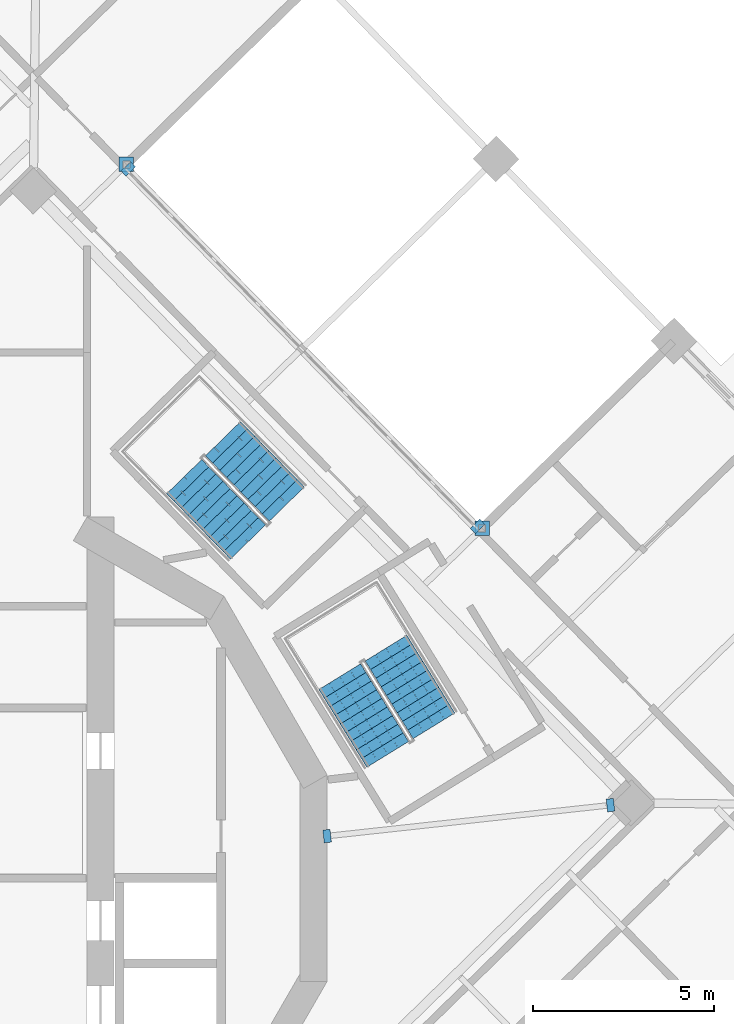
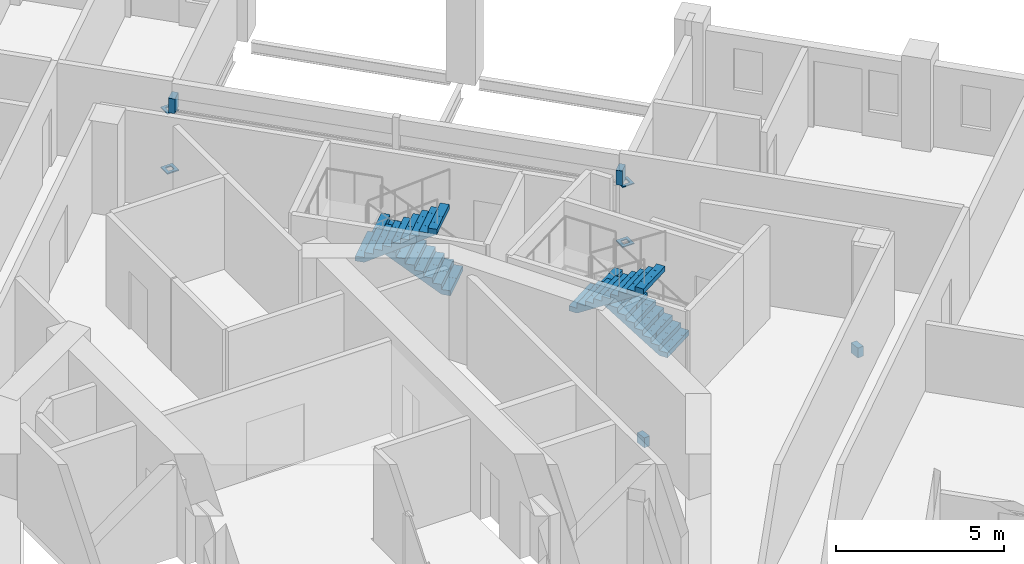
# One storey, part 14 of 20: 8 discrete accessories, 4 stair flights, 2 elements without a shape of their own.
"""IFC4 building model written with IfcOpenShell, lengths in metres."""

from ifc_helpers import new_model, si_unit, direction, frame, origin, place, context, subcontext, project, spatial, polyline, outline, extrude, material, layer, layer_set, type_object, element, aggregate, save


model = new_model("IFC4")

# Units and contexts
model_context = context("Model", 3, precision=1e-05, world=origin(), true_north=direction((0.0, 1.0)))
body_context = subcontext(model_context, "Body", "Model", "MODEL_VIEW")
ifc_project = project(units=[si_unit("LENGTHUNIT", "METRE"), si_unit("AREAUNIT", "SQUARE_METRE"), si_unit("VOLUMEUNIT", "CUBIC_METRE"), si_unit("PLANEANGLEUNIT", "RADIAN"), si_unit("MASSUNIT", "GRAM", prefix="KILO")], contexts=[model_context])

# Site, building, storey
site_placement = place(None, origin())
site = spatial("IfcSite", under=ifc_project, at=site_placement, CompositionType="ELEMENT")
building_placement = place(site_placement, origin())
building = spatial("IfcBuilding", under=site, at=building_placement, Name="Cantera Rosa Tower", CompositionType="ELEMENT")
storey_placement = place(building_placement, frame((0.0, 0.0, 209.0)))
storey = spatial("IfcBuildingStorey", under=building, at=storey_placement, Name="L44", CompositionType="ELEMENT", Elevation=209.0)

# Stair, stair flights
ifc_material_1 = material(Name="Concrete C35/45", Category="concrete")
stair_type = type_object("IfcStairType", Name="EXIT STAIR 1350 DOGLEG", PredefinedType="HALF_TURN_STAIR", material=ifc_material_1)
stair_1_placement = place(storey_placement, origin())
stair_1 = element("IfcStair", 1, at=stair_1_placement, inside=storey, type_object=stair_type, Name="L44 ST-41", PredefinedType="HALF_TURN_STAIR")
ifc_material_2 = material(Name="Concrete C35/45", Category="concrete")
stair_flight_type = type_object("IfcStairFlightType", Name="STAIR FLIGHT 1350 R20x180", PredefinedType="STRAIGHT", material=ifc_material_2)
stair_flight_1_placement = place(storey_placement, frame((13.5732421875, 4.2021484375, 0.0), z_axis=(0.0, 0.0, 1.0), x_axis=(-0.524976585286, 0.851116669383, 0.0)))
stair_flight_1 = element("IfcStairFlight", 2, at=stair_flight_1_placement, type_object=stair_flight_type, Name="ST-41 flight 1", NumberOfRisers=10, NumberOfTreads=9, PredefinedType="STRAIGHT", RiserHeight=0.18, TreadLength=0.28, context=body_context, shape_type="SweptSolid", body=[
    extrude(outline(polyline([(0.0, 0.0), (0.0, 0.179931640625), (0.280029296875, 0.179931640625), (0.280029296875, 0.360107421875), (0.56005859375, 0.360107421875), (0.56005859375, 0.5400390625), (0.840087890625, 0.5400390625), (0.840087890625, 0.719970703125), (1.1201171875, 0.719970703125), (1.1201171875, 0.89990234375), (1.39990234375, 0.89990234375), (1.39990234375, 1.080078125), (1.679931640625, 1.080078125), (1.679931640625, 1.260009765625), (1.9599609375, 1.260009765625), (1.9599609375, 1.43994140625), (2.239990234375, 1.43994140625), (2.239990234375, 1.6201171875), (2.52001953125, 1.6201171875), (2.52001953125, 1.800048828125), (2.52001953125, 1.44189453125), (0.277099609375, 0.0), (0.0, 0.0)])), frame((0.0, 0.675048828125, 0.0), z_axis=(0.0, -1.0, 0.0), x_axis=(1.0, 0.0, 0.0)), (0.0, 0.0, 1.0), 0.3359375),
    extrude(outline(polyline([(0.0, 0.0), (0.0, 0.179931640625), (0.280029296875, 0.179931640625), (0.280029296875, 0.360107421875), (0.56005859375, 0.360107421875), (0.56005859375, 0.5400390625), (0.840087890625, 0.5400390625), (0.840087890625, 0.719970703125), (1.1201171875, 0.719970703125), (1.1201171875, 0.89990234375), (1.39990234375, 0.89990234375), (1.39990234375, 1.080078125), (1.679931640625, 1.080078125), (1.679931640625, 1.260009765625), (1.9599609375, 1.260009765625), (1.9599609375, 1.43994140625), (2.239990234375, 1.43994140625), (2.239990234375, 1.6201171875), (2.52001953125, 1.6201171875), (2.52001953125, 1.800048828125), (2.52001953125, 1.44189453125), (0.277099609375, 0.0), (0.0, 0.0)])), frame((0.0, 0.337158203125, 0.0), z_axis=(0.0, -1.0, 0.0), x_axis=(1.0, 0.0, 0.0)), (0.0, 0.0, 1.0), 0.3359375),
    extrude(outline(polyline([(0.0, 0.0), (0.0, 0.179931640625), (0.280029296875, 0.179931640625), (0.280029296875, 0.360107421875), (0.56005859375, 0.360107421875), (0.56005859375, 0.5400390625), (0.840087890625, 0.5400390625), (0.840087890625, 0.719970703125), (1.1201171875, 0.719970703125), (1.1201171875, 0.89990234375), (1.39990234375, 0.89990234375), (1.39990234375, 1.080078125), (1.679931640625, 1.080078125), (1.679931640625, 1.260009765625), (1.9599609375, 1.260009765625), (1.9599609375, 1.43994140625), (2.239990234375, 1.43994140625), (2.239990234375, 1.6201171875), (2.52001953125, 1.6201171875), (2.52001953125, 1.800048828125), (2.52001953125, 1.44189453125), (0.277099609375, 0.0), (0.0, 0.0)])), frame((0.0, -0.000732421875, 0.0), z_axis=(0.0, -1.0, 0.0), x_axis=(1.0, 0.0, 0.0)), (0.0, 0.0, 1.0), 0.3359375),
    extrude(outline(polyline([(0.0, 0.0), (0.0, 0.179931640625), (0.280029296875, 0.179931640625), (0.280029296875, 0.360107421875), (0.56005859375, 0.360107421875), (0.56005859375, 0.5400390625), (0.840087890625, 0.5400390625), (0.840087890625, 0.719970703125), (1.1201171875, 0.719970703125), (1.1201171875, 0.89990234375), (1.39990234375, 0.89990234375), (1.39990234375, 1.080078125), (1.679931640625, 1.080078125), (1.679931640625, 1.260009765625), (1.9599609375, 1.260009765625), (1.9599609375, 1.43994140625), (2.239990234375, 1.43994140625), (2.239990234375, 1.6201171875), (2.52001953125, 1.6201171875), (2.52001953125, 1.800048828125), (2.52001953125, 1.44189453125), (0.277099609375, 0.0), (0.0, 0.0)])), frame((0.0, -0.338623046875, 0.0), z_axis=(0.0, -1.0, 0.0), x_axis=(1.0, 0.0, 0.0)), (0.0, 0.0, 1.0), 0.3359375),
])
stair_flight_2_placement = place(storey_placement, frame((10.9736328125, 5.5595703125, 1.800048828125), z_axis=(0.0, 0.0, 1.0), x_axis=(0.524976585286, -0.851116669383, 0.0)))
stair_flight_2 = element("IfcStairFlight", 3, at=stair_flight_2_placement, type_object=stair_flight_type, Name="ST-41 flight 2", NumberOfRisers=10, NumberOfTreads=9, PredefinedType="STRAIGHT", RiserHeight=0.18, TreadLength=0.28, context=body_context, shape_type="SweptSolid", body=[
    extrude(outline(polyline([(0.0, 0.0), (0.0, 0.179931640625), (0.280029296875, 0.179931640625), (0.280029296875, 0.360107421875), (0.56005859375, 0.360107421875), (0.56005859375, 0.5400390625), (0.840087890625, 0.5400390625), (0.840087890625, 0.719970703125), (1.1201171875, 0.719970703125), (1.1201171875, 0.89990234375), (1.39990234375, 0.89990234375), (1.39990234375, 1.080078125), (1.679931640625, 1.080078125), (1.679931640625, 1.260009765625), (1.9599609375, 1.260009765625), (1.9599609375, 1.43994140625), (2.239990234375, 1.43994140625), (2.239990234375, 1.6201171875), (2.52001953125, 1.6201171875), (2.52001953125, 1.800048828125), (2.52001953125, 1.44189453125), (0.277099609375, 0.0), (0.0, 0.0)])), frame((0.0, 0.675048828125, 0.0), z_axis=(0.0, -1.0, 0.0), x_axis=(1.0, 0.0, 0.0)), (0.0, 0.0, 1.0), 0.3359375),
    extrude(outline(polyline([(0.0, 0.0), (0.0, 0.179931640625), (0.280029296875, 0.179931640625), (0.280029296875, 0.360107421875), (0.56005859375, 0.360107421875), (0.56005859375, 0.5400390625), (0.840087890625, 0.5400390625), (0.840087890625, 0.719970703125), (1.1201171875, 0.719970703125), (1.1201171875, 0.89990234375), (1.39990234375, 0.89990234375), (1.39990234375, 1.080078125), (1.679931640625, 1.080078125), (1.679931640625, 1.260009765625), (1.9599609375, 1.260009765625), (1.9599609375, 1.43994140625), (2.239990234375, 1.43994140625), (2.239990234375, 1.6201171875), (2.52001953125, 1.6201171875), (2.52001953125, 1.800048828125), (2.52001953125, 1.44189453125), (0.277099609375, 0.0), (0.0, 0.0)])), frame((0.0, 0.337158203125, 0.0), z_axis=(0.0, -1.0, 0.0), x_axis=(1.0, 0.0, 0.0)), (0.0, 0.0, 1.0), 0.3359375),
    extrude(outline(polyline([(0.0, 0.0), (0.0, 0.179931640625), (0.280029296875, 0.179931640625), (0.280029296875, 0.360107421875), (0.56005859375, 0.360107421875), (0.56005859375, 0.5400390625), (0.840087890625, 0.5400390625), (0.840087890625, 0.719970703125), (1.1201171875, 0.719970703125), (1.1201171875, 0.89990234375), (1.39990234375, 0.89990234375), (1.39990234375, 1.080078125), (1.679931640625, 1.080078125), (1.679931640625, 1.260009765625), (1.9599609375, 1.260009765625), (1.9599609375, 1.43994140625), (2.239990234375, 1.43994140625), (2.239990234375, 1.6201171875), (2.52001953125, 1.6201171875), (2.52001953125, 1.800048828125), (2.52001953125, 1.44189453125), (0.277099609375, 0.0), (0.0, 0.0)])), frame((0.0, -0.000732421875, 0.0), z_axis=(0.0, -1.0, 0.0), x_axis=(1.0, 0.0, 0.0)), (0.0, 0.0, 1.0), 0.3359375),
    extrude(outline(polyline([(0.0, 0.0), (0.0, 0.179931640625), (0.280029296875, 0.179931640625), (0.280029296875, 0.360107421875), (0.56005859375, 0.360107421875), (0.56005859375, 0.5400390625), (0.840087890625, 0.5400390625), (0.840087890625, 0.719970703125), (1.1201171875, 0.719970703125), (1.1201171875, 0.89990234375), (1.39990234375, 0.89990234375), (1.39990234375, 1.080078125), (1.679931640625, 1.080078125), (1.679931640625, 1.260009765625), (1.9599609375, 1.260009765625), (1.9599609375, 1.43994140625), (2.239990234375, 1.43994140625), (2.239990234375, 1.6201171875), (2.52001953125, 1.6201171875), (2.52001953125, 1.800048828125), (2.52001953125, 1.44189453125), (0.277099609375, 0.0), (0.0, 0.0)])), frame((0.0, -0.338623046875, 0.0), z_axis=(0.0, -1.0, 0.0), x_axis=(1.0, 0.0, 0.0)), (0.0, 0.0, 1.0), 0.3359375),
])
aggregate(stair_1, [stair_flight_1, stair_flight_2])

stair_2_placement = place(storey_placement, origin())
stair_2 = element("IfcStair", 4, at=stair_2_placement, inside=storey, type_object=stair_type, Name="L44 ST-42", PredefinedType="HALF_TURN_STAIR")
stair_flight_3_placement = place(storey_placement, frame((9.514892578125, 10.32275390625, 0.0), z_axis=(0.0, 0.0, 1.0), x_axis=(-0.698831536207, 0.715286295132, 0.0)))
stair_flight_3 = element("IfcStairFlight", 5, at=stair_flight_3_placement, type_object=stair_flight_type, Name="ST-42 flight 1", NumberOfRisers=10, NumberOfTreads=9, PredefinedType="STRAIGHT", RiserHeight=0.18, TreadLength=0.28, context=body_context, shape_type="SweptSolid", body=[
    extrude(outline(polyline([(0.0, 0.0), (0.0, 0.179931640625), (0.280029296875, 0.179931640625), (0.280029296875, 0.360107421875), (0.56005859375, 0.360107421875), (0.56005859375, 0.5400390625), (0.840087890625, 0.5400390625), (0.840087890625, 0.719970703125), (1.1201171875, 0.719970703125), (1.1201171875, 0.89990234375), (1.39990234375, 0.89990234375), (1.39990234375, 1.080078125), (1.679931640625, 1.080078125), (1.679931640625, 1.260009765625), (1.9599609375, 1.260009765625), (1.9599609375, 1.43994140625), (2.239990234375, 1.43994140625), (2.239990234375, 1.6201171875), (2.52001953125, 1.6201171875), (2.52001953125, 1.800048828125), (2.52001953125, 1.44189453125), (0.277099609375, 0.0), (0.0, 0.0)])), frame((0.0, 0.675048828125, 0.0), z_axis=(0.0, -1.0, 0.0), x_axis=(1.0, 0.0, 0.0)), (0.0, 0.0, 1.0), 0.3359375),
    extrude(outline(polyline([(0.0, 0.0), (0.0, 0.179931640625), (0.280029296875, 0.179931640625), (0.280029296875, 0.360107421875), (0.56005859375, 0.360107421875), (0.56005859375, 0.5400390625), (0.840087890625, 0.5400390625), (0.840087890625, 0.719970703125), (1.1201171875, 0.719970703125), (1.1201171875, 0.89990234375), (1.39990234375, 0.89990234375), (1.39990234375, 1.080078125), (1.679931640625, 1.080078125), (1.679931640625, 1.260009765625), (1.9599609375, 1.260009765625), (1.9599609375, 1.43994140625), (2.239990234375, 1.43994140625), (2.239990234375, 1.6201171875), (2.52001953125, 1.6201171875), (2.52001953125, 1.800048828125), (2.52001953125, 1.44189453125), (0.277099609375, 0.0), (0.0, 0.0)])), frame((0.0, 0.337158203125, 0.0), z_axis=(0.0, -1.0, 0.0), x_axis=(1.0, 0.0, 0.0)), (0.0, 0.0, 1.0), 0.3359375),
    extrude(outline(polyline([(0.0, 0.0), (0.0, 0.179931640625), (0.280029296875, 0.179931640625), (0.280029296875, 0.360107421875), (0.56005859375, 0.360107421875), (0.56005859375, 0.5400390625), (0.840087890625, 0.5400390625), (0.840087890625, 0.719970703125), (1.1201171875, 0.719970703125), (1.1201171875, 0.89990234375), (1.39990234375, 0.89990234375), (1.39990234375, 1.080078125), (1.679931640625, 1.080078125), (1.679931640625, 1.260009765625), (1.9599609375, 1.260009765625), (1.9599609375, 1.43994140625), (2.239990234375, 1.43994140625), (2.239990234375, 1.6201171875), (2.52001953125, 1.6201171875), (2.52001953125, 1.800048828125), (2.52001953125, 1.44189453125), (0.277099609375, 0.0), (0.0, 0.0)])), frame((0.0, -0.000732421875, 0.0), z_axis=(0.0, -1.0, 0.0), x_axis=(1.0, 0.0, 0.0)), (0.0, 0.0, 1.0), 0.3359375),
    extrude(outline(polyline([(0.0, 0.0), (0.0, 0.179931640625), (0.280029296875, 0.179931640625), (0.280029296875, 0.360107421875), (0.56005859375, 0.360107421875), (0.56005859375, 0.5400390625), (0.840087890625, 0.5400390625), (0.840087890625, 0.719970703125), (1.1201171875, 0.719970703125), (1.1201171875, 0.89990234375), (1.39990234375, 0.89990234375), (1.39990234375, 1.080078125), (1.679931640625, 1.080078125), (1.679931640625, 1.260009765625), (1.9599609375, 1.260009765625), (1.9599609375, 1.43994140625), (2.239990234375, 1.43994140625), (2.239990234375, 1.6201171875), (2.52001953125, 1.6201171875), (2.52001953125, 1.800048828125), (2.52001953125, 1.44189453125), (0.277099609375, 0.0), (0.0, 0.0)])), frame((0.0, -0.338623046875, 0.0), z_axis=(0.0, -1.0, 0.0), x_axis=(1.0, 0.0, 0.0)), (0.0, 0.0, 1.0), 0.3359375),
])
stair_flight_4_placement = place(storey_placement, frame((6.680908203125, 11.076904296875, 1.800048828125), z_axis=(0.0, 0.0, 1.0), x_axis=(0.698831536207, -0.715286295132, 0.0)))
stair_flight_4 = element("IfcStairFlight", 6, at=stair_flight_4_placement, type_object=stair_flight_type, Name="ST-42 flight 2", NumberOfRisers=10, NumberOfTreads=9, PredefinedType="STRAIGHT", RiserHeight=0.18, TreadLength=0.28, context=body_context, shape_type="SweptSolid", body=[
    extrude(outline(polyline([(0.0, 0.0), (0.0, 0.179931640625), (0.280029296875, 0.179931640625), (0.280029296875, 0.360107421875), (0.56005859375, 0.360107421875), (0.56005859375, 0.5400390625), (0.840087890625, 0.5400390625), (0.840087890625, 0.719970703125), (1.1201171875, 0.719970703125), (1.1201171875, 0.89990234375), (1.39990234375, 0.89990234375), (1.39990234375, 1.080078125), (1.679931640625, 1.080078125), (1.679931640625, 1.260009765625), (1.9599609375, 1.260009765625), (1.9599609375, 1.43994140625), (2.239990234375, 1.43994140625), (2.239990234375, 1.6201171875), (2.52001953125, 1.6201171875), (2.52001953125, 1.800048828125), (2.52001953125, 1.44189453125), (0.277099609375, 0.0), (0.0, 0.0)])), frame((0.0, 0.675048828125, 0.0), z_axis=(0.0, -1.0, 0.0), x_axis=(1.0, 0.0, 0.0)), (0.0, 0.0, 1.0), 0.3359375),
    extrude(outline(polyline([(0.0, 0.0), (0.0, 0.179931640625), (0.280029296875, 0.179931640625), (0.280029296875, 0.360107421875), (0.56005859375, 0.360107421875), (0.56005859375, 0.5400390625), (0.840087890625, 0.5400390625), (0.840087890625, 0.719970703125), (1.1201171875, 0.719970703125), (1.1201171875, 0.89990234375), (1.39990234375, 0.89990234375), (1.39990234375, 1.080078125), (1.679931640625, 1.080078125), (1.679931640625, 1.260009765625), (1.9599609375, 1.260009765625), (1.9599609375, 1.43994140625), (2.239990234375, 1.43994140625), (2.239990234375, 1.6201171875), (2.52001953125, 1.6201171875), (2.52001953125, 1.800048828125), (2.52001953125, 1.44189453125), (0.277099609375, 0.0), (0.0, 0.0)])), frame((0.0, 0.337158203125, 0.0), z_axis=(0.0, -1.0, 0.0), x_axis=(1.0, 0.0, 0.0)), (0.0, 0.0, 1.0), 0.3359375),
    extrude(outline(polyline([(0.0, 0.0), (0.0, 0.179931640625), (0.280029296875, 0.179931640625), (0.280029296875, 0.360107421875), (0.56005859375, 0.360107421875), (0.56005859375, 0.5400390625), (0.840087890625, 0.5400390625), (0.840087890625, 0.719970703125), (1.1201171875, 0.719970703125), (1.1201171875, 0.89990234375), (1.39990234375, 0.89990234375), (1.39990234375, 1.080078125), (1.679931640625, 1.080078125), (1.679931640625, 1.260009765625), (1.9599609375, 1.260009765625), (1.9599609375, 1.43994140625), (2.239990234375, 1.43994140625), (2.239990234375, 1.6201171875), (2.52001953125, 1.6201171875), (2.52001953125, 1.800048828125), (2.52001953125, 1.44189453125), (0.277099609375, 0.0), (0.0, 0.0)])), frame((0.0, -0.000732421875, 0.0), z_axis=(0.0, -1.0, 0.0), x_axis=(1.0, 0.0, 0.0)), (0.0, 0.0, 1.0), 0.3359375),
    extrude(outline(polyline([(0.0, 0.0), (0.0, 0.179931640625), (0.280029296875, 0.179931640625), (0.280029296875, 0.360107421875), (0.56005859375, 0.360107421875), (0.56005859375, 0.5400390625), (0.840087890625, 0.5400390625), (0.840087890625, 0.719970703125), (1.1201171875, 0.719970703125), (1.1201171875, 0.89990234375), (1.39990234375, 0.89990234375), (1.39990234375, 1.080078125), (1.679931640625, 1.080078125), (1.679931640625, 1.260009765625), (1.9599609375, 1.260009765625), (1.9599609375, 1.43994140625), (2.239990234375, 1.43994140625), (2.239990234375, 1.6201171875), (2.52001953125, 1.6201171875), (2.52001953125, 1.800048828125), (2.52001953125, 1.44189453125), (0.277099609375, 0.0), (0.0, 0.0)])), frame((0.0, -0.338623046875, 0.0), z_axis=(0.0, -1.0, 0.0), x_axis=(1.0, 0.0, 0.0)), (0.0, 0.0, 1.0), 0.3359375),
])
aggregate(stair_2, [stair_flight_3, stair_flight_4])

# Discrete accessories
ifc_material_3 = material(Name="Steel ASTM A992 (Fy 345 MPa)", Category="steel")
ifc_layer = layer(ifc_material_3, 0.0400390625)
ifc_layer_set = layer_set([ifc_layer], Name="STEEL BEARING PLATE 40")
discrete_accessory_type = type_object("IfcDiscreteAccessoryType", Name="STEEL BEARING PLATE 40", PredefinedType="ANCHORPLATE", material=ifc_layer_set)
discrete_accessory_1_placement = place(storey_placement, frame((0.0, 0.0, -0.659912109375)))
element("IfcDiscreteAccessory", 7, at=discrete_accessory_1_placement, inside=storey, type_object=discrete_accessory_type, Name="BEARING PLATE PG-Z4-01 end 1 L44", PredefinedType="ANCHORPLATE", context=body_context, shape_type="SweptSolid", body=[
    extrude(outline(polyline([(18.362548828125, 1.828125), (18.5615234375, 1.849853515625), (18.52294921875, 2.20166015625), (18.32421875, 2.179931640625), (18.362548828125, 1.828125)])), origin(), (0.0, 0.0, 1.0), 0.35986328125),
])
discrete_accessory_2_placement = place(storey_placement, frame((0.0, 0.0, -0.659912109375)))
element("IfcDiscreteAccessory", 8, at=discrete_accessory_2_placement, inside=storey, type_object=discrete_accessory_type, Name="BEARING PLATE PG-Z4-01 end 2 L44", PredefinedType="ANCHORPLATE", context=body_context, shape_type="SweptSolid", body=[
    extrude(outline(polyline([(10.705322265625, 1.34765625), (10.506591796875, 1.325927734375), (10.544921875, 0.97412109375), (10.743896484375, 0.99560546875), (10.705322265625, 1.34765625)])), origin(), (0.0, 0.0, 1.0), 0.35986328125),
])
for number, where, name in (
    (9, (0.0, 0.0, 0.0), "POST PLATE L44-1F"),
    (10, (0.0, 0.0, 2.174072265625), "POST PLATE L44-1T"),
):
    element("IfcDiscreteAccessory", number, at=place(storey_placement, frame(where)), inside=storey, type_object=discrete_accessory_type, Name=name, PredefinedType="ANCHORPLATE", context=body_context, shape_type="SweptSolid", body=[
        extrude(outline(polyline([(14.698974609375, 9.448974609375), (15.098876953125, 9.448974609375), (15.098876953125, 9.84912109375), (14.698974609375, 9.84912109375), (14.698974609375, 9.448974609375)]), holes=[polyline([(14.798828125, 9.549072265625), (14.998779296875, 9.549072265625), (14.998779296875, 9.7490234375), (14.798828125, 9.7490234375), (14.798828125, 9.549072265625)])]), origin(), (0.0, 0.0, 1.0), 0.0400390625),
    ])
for number, where, name in (
    (11, (0.0, 0.0, 0.0), "POST PLATE L44-2F"),
    (12, (0.0, 0.0, 2.174072265625), "POST PLATE L44-2T"),
):
    element("IfcDiscreteAccessory", number, at=place(storey_placement, frame(where)), inside=storey, type_object=discrete_accessory_type, Name=name, PredefinedType="ANCHORPLATE", context=body_context, shape_type="SweptSolid", body=[
        extrude(outline(polyline([(4.88720703125, 19.49169921875), (5.287353515625, 19.49169921875), (5.287353515625, 19.8916015625), (4.88720703125, 19.8916015625), (4.88720703125, 19.49169921875)]), holes=[polyline([(4.9873046875, 19.591552734375), (5.187255859375, 19.591552734375), (5.187255859375, 19.79150390625), (4.9873046875, 19.79150390625), (4.9873046875, 19.591552734375)])]), origin(), (0.0, 0.0, 1.0), 0.0400390625),
    ])
discrete_accessory_3_placement = place(storey_placement, frame((0.0, 0.0, 2.214111328125)))
element("IfcDiscreteAccessory", 13, at=discrete_accessory_3_placement, inside=storey, type_object=discrete_accessory_type, Name="LINTEL PLATE L44-1", PredefinedType="ANCHORPLATE", context=body_context, shape_type="SweptSolid", body=[
    extrude(outline(polyline([(14.574951171875, 9.647216796875), (14.714599609375, 9.504150390625), (14.9765625, 9.759765625), (14.8369140625, 9.90283203125), (14.574951171875, 9.647216796875)])), origin(), (0.0, 0.0, 1.0), 0.52783203125),
])
discrete_accessory_4_placement = place(storey_placement, frame((0.0, 0.0, 2.214111328125)))
element("IfcDiscreteAccessory", 14, at=discrete_accessory_4_placement, inside=storey, type_object=discrete_accessory_type, Name="LINTEL PLATE L44-2", PredefinedType="ANCHORPLATE", context=body_context, shape_type="SweptSolid", body=[
    extrude(outline(polyline([(5.339599609375, 19.62353515625), (5.199951171875, 19.7666015625), (4.93798828125, 19.510986328125), (5.077880859375, 19.367919921875), (5.339599609375, 19.62353515625)])), origin(), (0.0, 0.0, 1.0), 0.52783203125),
])

save(model, "model.ifc")
